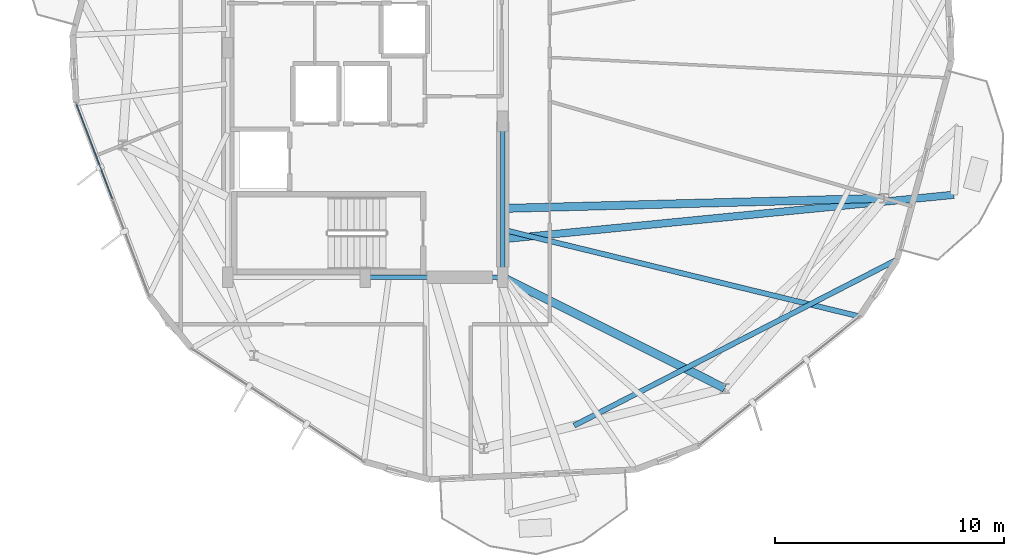
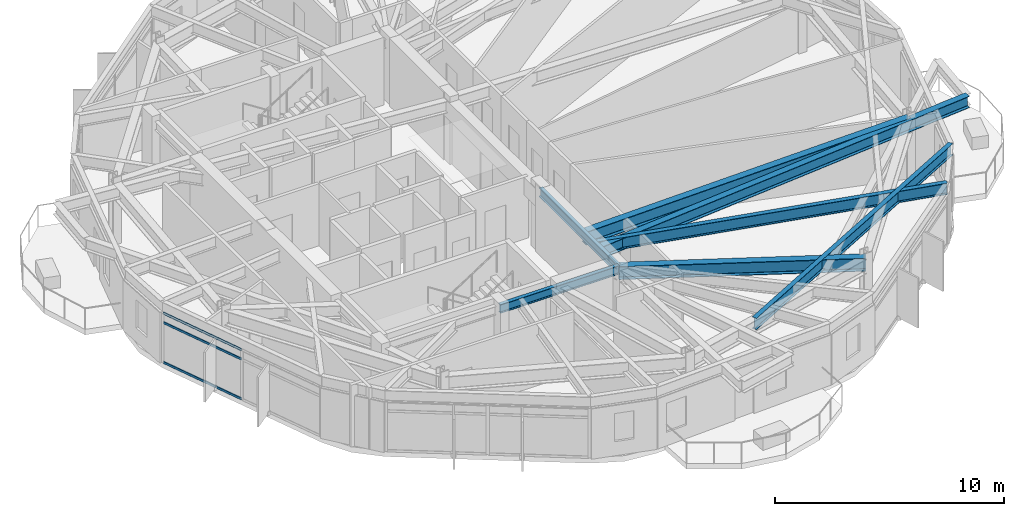
# One storey, part 7 of 23: 7 beams, 3 members, 1 element without a shape of its own.
"""IFC4 building model written with IfcOpenShell, lengths in metres."""

from ifc_helpers import new_model, si_unit, direction, frame, origin, origin_2d, place, context, subcontext, project, spatial, hollow_rectangle, i_section, extrude, material, layer, layer_set, material_profile, profile_set, type_object, element, aggregate, save


model = new_model("IFC4")

# Units and contexts
model_context = context("Model", 3, precision=1e-05, world=origin(), true_north=direction((0.0, 1.0)))
body_context = subcontext(model_context, "Body", "Model", "MODEL_VIEW")
ifc_project = project(units=[si_unit("LENGTHUNIT", "METRE"), si_unit("AREAUNIT", "SQUARE_METRE"), si_unit("VOLUMEUNIT", "CUBIC_METRE"), si_unit("PLANEANGLEUNIT", "RADIAN"), si_unit("MASSUNIT", "GRAM", prefix="KILO")], contexts=[model_context])

# Site, building, storey
site_placement = place(None, origin())
site = spatial("IfcSite", under=ifc_project, at=site_placement, CompositionType="ELEMENT")
building_placement = place(site_placement, origin())
building = spatial("IfcBuilding", under=site, at=building_placement, Name="Soratama Intermodal Tower", CompositionType="ELEMENT")
storey_placement = place(building_placement, frame((0.0, 0.0, 175.0)))
storey = spatial("IfcBuildingStorey", under=building, at=storey_placement, Name="L43", CompositionType="ELEMENT", Elevation=175.0)

# Beams
ifc_material_1 = material(Name="Structural steel ASTM A992 Grade 50", Category="steel")
ifc_material_profile_1 = material_profile(ifc_material_1, i_section(OverallWidth=0.324951171875, OverallDepth=0.615966796875, WebThickness=0.013916015625, FlangeThickness=0.021484375, FilletRadius=0.013916015625, at=origin_2d()), Name="W24X117")
ifc_profile_set_1 = profile_set([ifc_material_profile_1], Name="Structural steel ASTM A992 Grade 50")
beam_type_1 = type_object("IfcBeamType", Name="BM-CANT-W24X117", PredefinedType="BEAM", material=ifc_profile_set_1)
beam_1_placement = place(storey_placement, frame((44.639892578125, 16.6650390625, 2.991943359375), z_axis=(0.995197035298, 0.097892088206, 0.0), x_axis=(-0.097892088206, 0.995197035298, 0.0)))
element("IfcBeam", 1, at=beam_1_placement, inside=storey, type_object=beam_type_1, Name="BM-L43-CANT-1-1", PredefinedType="BEAM", context=body_context, shape_type="SweptSolid", body=[
    extrude(i_section(OverallWidth=0.324951171875, OverallDepth=0.615966796875, WebThickness=0.013916015625, FlangeThickness=0.021484375, FilletRadius=0.013916015625, at=origin_2d()), origin(), (0.0, 0.0, 1.0), 19.724853515625),
])
ifc_material_2 = material(Name="Structural steel ASTM A992 Grade 50", Category="steel")
ifc_material_profile_2 = material_profile(ifc_material_2, i_section(OverallWidth=0.19091796875, OverallDepth=0.4599609375, WebThickness=0.010009765625, FlangeThickness=0.01611328125, FilletRadius=0.010986328125, at=origin_2d()), Name="W18X55")
ifc_profile_set_2 = profile_set([ifc_material_profile_2], Name="Structural steel ASTM A992 Grade 50")
beam_type_2 = type_object("IfcBeamType", Name="BM-FLR-W18X55", PredefinedType="BEAM", material=ifc_profile_set_2)
beam_2_placement = place(storey_placement, frame((38.60009765625, 15.0, 3.070068359375), z_axis=(1.0, 0.0, 0.0), x_axis=(0.0, 1.0, 0.0)))
element("IfcBeam", 2, at=beam_2_placement, inside=storey, type_object=beam_type_2, Name="BM-L43-CRING-02", PredefinedType="BEAM", context=body_context, shape_type="SweptSolid", body=[
    extrude(i_section(OverallWidth=0.19091796875, OverallDepth=0.4599609375, WebThickness=0.010009765625, FlangeThickness=0.01611328125, FilletRadius=0.010986328125, at=origin_2d()), origin(), (0.0, 0.0, 1.0), 6.0),
])
beam_3_placement = place(storey_placement, frame((44.60009765625, 15.0, 3.070068359375), z_axis=(0.0, 1.0, 0.0), x_axis=(-1.0, 0.0, 0.0)))
element("IfcBeam", 3, at=beam_3_placement, inside=storey, type_object=beam_type_2, Name="BM-L43-CRING-03", PredefinedType="BEAM", context=body_context, shape_type="SweptSolid", body=[
    extrude(i_section(OverallWidth=0.19091796875, OverallDepth=0.4599609375, WebThickness=0.010009765625, FlangeThickness=0.01611328125, FilletRadius=0.010986328125, at=origin_2d()), origin(), (0.0, 0.0, 1.0), 6.800048828125),
])
ifc_material_3 = material(Name="Structural steel ASTM A992 Grade 50", Category="steel")
ifc_material_profile_3 = material_profile(ifc_material_3, i_section(OverallWidth=0.35498046875, OverallDepth=0.695068359375, WebThickness=0.015380859375, FlangeThickness=0.02490234375, FilletRadius=0.01611328125, at=origin_2d()), Name="W27X146")
ifc_profile_set_3 = profile_set([ifc_material_profile_3], Name="Structural steel ASTM A992 Grade 50")
beam_type_3 = type_object("IfcBeamType", Name="BM-RING-W27X146", PredefinedType="BEAM", material=ifc_profile_set_3)
beam_4_placement = place(storey_placement, frame((44.60009765625, 15.0, 2.952392578125), z_axis=(0.894273669201, -0.447520507434, 0.0), x_axis=(0.447520507434, 0.894273669201, 0.0)))
element("IfcBeam", 4, at=beam_4_placement, inside=storey, type_object=beam_type_3, Name="BM-L43-RAD-09", PredefinedType="BEAM", context=body_context, shape_type="SweptSolid", body=[
    extrude(i_section(OverallWidth=0.35498046875, OverallDepth=0.695068359375, WebThickness=0.015380859375, FlangeThickness=0.02490234375, FilletRadius=0.01611328125, at=origin_2d()), origin(), (0.0, 0.0, 1.0), 10.817626953125),
])
beam_5_placement = place(storey_placement, frame((44.60009765625, 18.0, 2.952392578125), z_axis=(0.999643459503, 0.026701196077, 0.0), x_axis=(-0.026701196077, 0.999643459503, 0.0)))
element("IfcBeam", 5, at=beam_5_placement, inside=storey, type_object=beam_type_3, Name="BM-L43-RAD-10", PredefinedType="BEAM", context=body_context, shape_type="SweptSolid", body=[
    extrude(i_section(OverallWidth=0.35498046875, OverallDepth=0.695068359375, WebThickness=0.015380859375, FlangeThickness=0.02490234375, FilletRadius=0.01611328125, at=origin_2d()), origin(), (0.0, 0.0, 1.0), 16.6318359375),
])
ifc_material_4 = material(Name="Structural steel ASTM A992 Grade 50", Category="steel")
ifc_material_profile_4 = material_profile(ifc_material_4, i_section(OverallWidth=0.22900390625, OverallDepth=0.612060546875, WebThickness=0.011962890625, FlangeThickness=0.01953125, FilletRadius=0.012939453125, at=origin_2d()), Name="W24X84")
ifc_profile_set_4 = profile_set([ifc_material_profile_4], Name="Structural steel ASTM A992 Grade 50")
beam_type_4 = type_object("IfcBeamType", Name="BM-TIE-W24X84", PredefinedType="BEAM", material=ifc_profile_set_4)
beam_6_placement = place(storey_placement, frame((44.638916015625, 17.06689453125, 2.993896484375), z_axis=(0.97162558031, -0.236524272934, 0.0), x_axis=(0.236524272934, 0.97162558031, 0.0)))
element("IfcBeam", 6, at=beam_6_placement, inside=storey, type_object=beam_type_4, Name="BM-L43-TIE1-08", PredefinedType="BEAM", context=body_context, shape_type="SweptSolid", body=[
    extrude(i_section(OverallWidth=0.22900390625, OverallDepth=0.612060546875, WebThickness=0.011962890625, FlangeThickness=0.01953125, FilletRadius=0.012939453125, at=origin_2d()), origin(), (0.0, 0.0, 1.0), 15.98046875),
])
beam_7_placement = place(storey_placement, frame((47.7109375, 8.531982421875, 2.993896484375), z_axis=(0.889406578708, 0.457116984754, 0.0), x_axis=(-0.457116984754, 0.889406578708, 0.0)))
element("IfcBeam", 7, at=beam_7_placement, inside=storey, type_object=beam_type_4, Name="BM-L43-TIE0-09", PredefinedType="BEAM", context=body_context, shape_type="SweptSolid", body=[
    extrude(i_section(OverallWidth=0.22900390625, OverallDepth=0.612060546875, WebThickness=0.011962890625, FlangeThickness=0.01953125, FilletRadius=0.012939453125, at=origin_2d()), origin(), (0.0, 0.0, 1.0), 15.83203125),
])

# Curtain wall, members
ifc_material_5 = material(Name="Double-glazed aluminium curtain wall", Category="aluminium")
ifc_layer = layer(ifc_material_5, 0.159912109375)
ifc_layer_set = layer_set([ifc_layer], Name="Double-glazed aluminium curtain wall")
curtain_wall_type = type_object("IfcCurtainWallType", Name="CW-SYS-4", PredefinedType="NOTDEFINED", material=ifc_layer_set)
curtain_wall_placement = place(storey_placement, origin())
curtain_wall = element("IfcCurtainWall", 8, at=curtain_wall_placement, inside=storey, type_object=curtain_wall_type, Name="L43 Faceted Curtain Wall F05", PredefinedType="NOTDEFINED")
ifc_material_6 = material(Name="Anodised aluminium AA 6063-T6", Category="aluminium")
ifc_material_profile_5 = material_profile(ifc_material_6, hollow_rectangle(XDim=0.06005859375, YDim=0.1298828125, WallThickness=0.0048828125, InnerFilletRadius=0.0048828125, OuterFilletRadius=0.010009765625, at=origin_2d()), Name="CWT130X60X5")
ifc_profile_set_5 = profile_set([ifc_material_profile_5], Name="Anodised aluminium AA 6063-T6")
member_type = type_object("IfcMemberType", Name="TT-CWT-2", PredefinedType="USERDEFINED", material=ifc_profile_set_5)
member_1_placement = place(storey_placement, frame((26.010498046875, 22.54248046875, 0.030029296875), z_axis=(0.354426896262, -0.935083726308, 0.0), x_axis=(0.935083726308, 0.354426896262, 0.0)))
member_1 = element("IfcMember", 9, at=member_1_placement, type_object=member_type, Name="CW-4 transom 1.1", ObjectType="TRANSOM", PredefinedType="USERDEFINED", context=body_context, shape_type="SweptSolid", body=[
    extrude(hollow_rectangle(XDim=0.06005859375, YDim=0.1298828125, WallThickness=0.0048828125, InnerFilletRadius=0.0048828125, OuterFilletRadius=0.010009765625, at=origin_2d()), origin(), (0.0, 0.0, 1.0), 4.403076171875),
])
member_2_placement = place(storey_placement, frame((26.010498046875, 22.54248046875, 2.14990234375), z_axis=(0.354426896262, -0.935083726308, 0.0), x_axis=(0.935083726308, 0.354426896262, 0.0)))
member_2 = element("IfcMember", 10, at=member_2_placement, type_object=member_type, Name="CW-4 transom 1.2", ObjectType="TRANSOM", PredefinedType="USERDEFINED", context=body_context, shape_type="SweptSolid", body=[
    extrude(hollow_rectangle(XDim=0.06005859375, YDim=0.1298828125, WallThickness=0.0048828125, InnerFilletRadius=0.0048828125, OuterFilletRadius=0.010009765625, at=origin_2d()), origin(), (0.0, 0.0, 1.0), 4.403076171875),
])
member_3_placement = place(storey_placement, frame((26.010498046875, 22.54248046875, 2.64892578125), z_axis=(0.354426896262, -0.935083726308, 0.0), x_axis=(0.935083726308, 0.354426896262, 0.0)))
member_3 = element("IfcMember", 11, at=member_3_placement, type_object=member_type, Name="CW-4 transom 1.3", ObjectType="TRANSOM", PredefinedType="USERDEFINED", context=body_context, shape_type="SweptSolid", body=[
    extrude(hollow_rectangle(XDim=0.06005859375, YDim=0.1298828125, WallThickness=0.0048828125, InnerFilletRadius=0.0048828125, OuterFilletRadius=0.010009765625, at=origin_2d()), origin(), (0.0, 0.0, 1.0), 4.403076171875),
])
aggregate(curtain_wall, [member_1, member_2, member_3])

save(model, "model.ifc")
